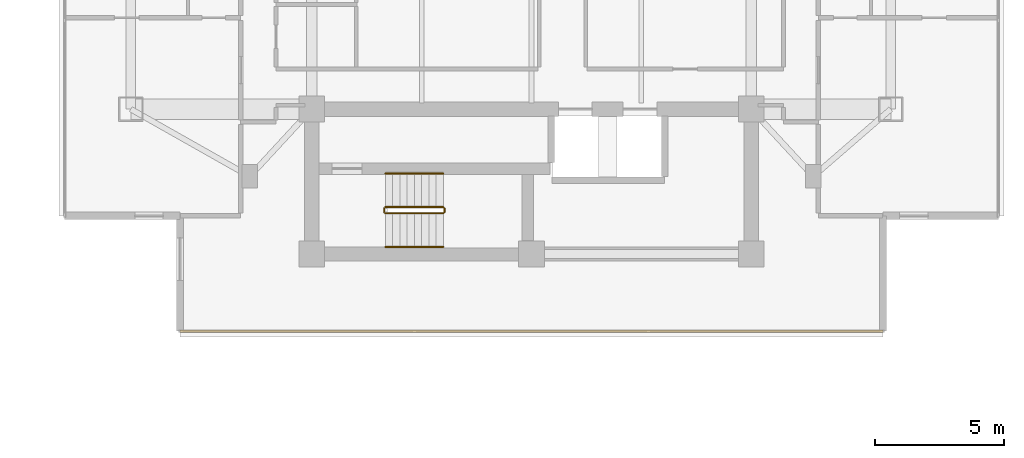
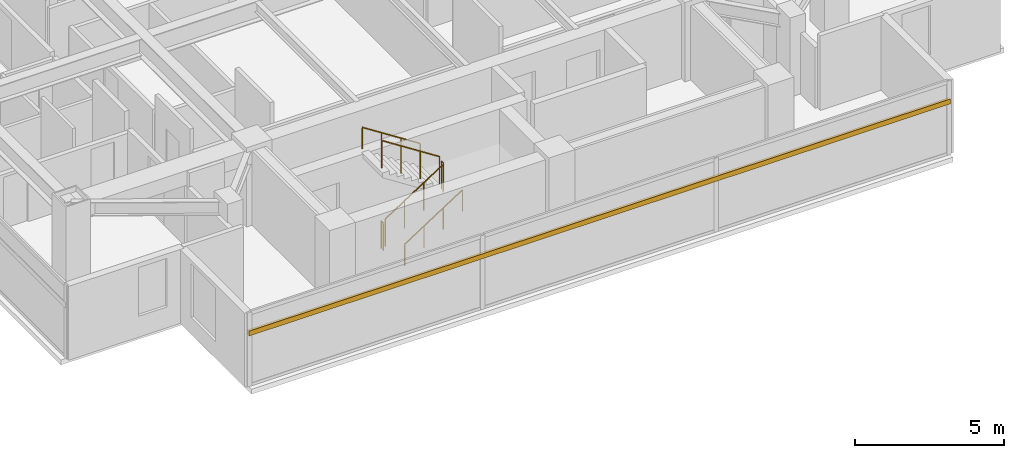
# One storey, part 23 of 25: 6 railings, 1 shading device.
"""IFC4 building model written with IfcOpenShell, lengths in metres."""

from ifc_helpers import new_model, si_unit, direction, frame, origin, origin_2d, place, context, subcontext, project, spatial, rectangle, circle, extrude, material, material_profile, profile_set, type_object, element, save


model = new_model("IFC4")

# Units and contexts
model_context = context("Model", 3, precision=1e-05, world=origin(), true_north=direction((0.0, 1.0)))
body_context = subcontext(model_context, "Body", "Model", "MODEL_VIEW")
ifc_project = project(units=[si_unit("LENGTHUNIT", "METRE"), si_unit("AREAUNIT", "SQUARE_METRE"), si_unit("VOLUMEUNIT", "CUBIC_METRE"), si_unit("PLANEANGLEUNIT", "RADIAN"), si_unit("MASSUNIT", "GRAM", prefix="KILO")], contexts=[model_context])

# Site, building, storey
site_placement = place(None, origin())
site = spatial("IfcSite", under=ifc_project, at=site_placement, CompositionType="ELEMENT")
building_placement = place(site_placement, origin())
building = spatial("IfcBuilding", under=site, at=building_placement, Name="Mirazonda Arch Towers", CompositionType="ELEMENT")
storey_placement = place(building_placement, frame((0.0, 0.0, 173.89990234375)))
storey = spatial("IfcBuildingStorey", under=building, at=storey_placement, Name="L49", CompositionType="ELEMENT", Elevation=173.89990234375)

# Shading device
ifc_material_1 = material(Name="Kiln-Fired Architectural Terracotta", Category="masonry")
ifc_material_profile = material_profile(ifc_material_1, rectangle(XDim=0.10009765625, YDim=0.199951171875, at=origin_2d()), Name="TERRA-BAG-100x200")
ifc_profile_set = profile_set([ifc_material_profile], Name="Kiln-Fired Architectural Terracotta")
shading_device_type = type_object("IfcShadingDeviceType", Name="BAGUETTE-2", PredefinedType="USERDEFINED", material=ifc_profile_set)
shading_device_placement = place(storey_placement, frame((90.09521484375, 12.208740234375, 2.181640625), z_axis=(-1.0, 0.0, 0.0), x_axis=(0.0, -1.0, 0.0)))
element("IfcShadingDevice", 1, at=shading_device_placement, inside=storey, type_object=shading_device_type, Name="L49 Glazed Terracotta Sun-Screen Baguette CW-L49-T2-S", ObjectType="BAGUETTE", PredefinedType="USERDEFINED", context=body_context, shape_type="SweptSolid", body=[
    extrude(rectangle(XDim=0.10009765625, YDim=0.199951171875, at=origin_2d()), origin(), (0.0, 0.0, 1.0), 27.1904296875),
])

# Railings
ifc_material_2 = material(Name="Architectural Brushed Steel S355", Category="steel")
railing_type_1 = type_object("IfcRailingType", Name="GUARD-STAIR-1120", PredefinedType="GUARDRAIL", material=ifc_material_2)
railing_1_placement = place(storey_placement, frame((70.85009765625, 16.77001953125, 0.1806640625)))
element("IfcRailing", 2, at=railing_1_placement, inside=storey, type_object=railing_type_1, Name="L49 ST-T2S stair guard 1", PredefinedType="GUARDRAIL", context=body_context, shape_type="SweptSolid", body=[
    extrude(circle(Radius=0.02392578125, at=origin_2d()), frame((0.0, 0.0, 1.1259765625), z_axis=(0.840436612492, 0.0, 0.541909863706), x_axis=(0.0, 1.0, 0.0)), (0.0, 0.0, 1.0), 2.665283203125),
    extrude(circle(Radius=0.02099609375, at=origin_2d()), origin(), (0.0, 0.0, 1.0), 1.101806640625),
    extrude(circle(Radius=0.02099609375, at=origin_2d()), frame((0.74658203125, 0.0, 0.4814453125)), (0.0, 0.0, 1.0), 1.101806640625),
    extrude(circle(Radius=0.02099609375, at=origin_2d()), frame((1.493408203125, 0.0, 0.962890625)), (0.0, 0.0, 1.0), 1.101806640625),
    extrude(circle(Radius=0.02099609375, at=origin_2d()), frame((2.239990234375, 0.0, 1.4443359375)), (0.0, 0.0, 1.0), 1.101806640625),
])
railing_2_placement = place(storey_placement, frame((73.139892578125, 16.820068359375, 1.625)))
element("IfcRailing", 3, at=railing_2_placement, inside=storey, type_object=railing_type_1, Name="L49 ST-T2S stair guard 2", PredefinedType="GUARDRAIL", context=body_context, shape_type="SweptSolid", body=[
    extrude(circle(Radius=0.02392578125, at=origin_2d()), frame((0.0, 0.0, 1.1259765625), z_axis=(0.0, 1.0, 0.0), x_axis=(-1.0, 0.0, 0.0)), (0.0, 0.0, 1.0), 0.139892578125),
    extrude(circle(Radius=0.02099609375, at=origin_2d()), origin(), (0.0, 0.0, 1.0), 1.101806640625),
    extrude(circle(Radius=0.02099609375, at=origin_2d()), frame((0.0, 0.139892578125, 0.0)), (0.0, 0.0, 1.0), 1.101806640625),
])
railing_3_placement = place(storey_placement, frame((73.090087890625, 17.010009765625, 1.8056640625)))
element("IfcRailing", 4, at=railing_3_placement, inside=storey, type_object=railing_type_1, Name="L49 ST-T2S stair guard 3", PredefinedType="GUARDRAIL", context=body_context, shape_type="SweptSolid", body=[
    extrude(circle(Radius=0.02392578125, at=origin_2d()), frame((0.0, 0.0, 1.1259765625), z_axis=(-0.840436612492, 0.0, 0.541909863706), x_axis=(0.0, -1.0, 0.0)), (0.0, 0.0, 1.0), 2.665283203125),
    extrude(circle(Radius=0.02099609375, at=origin_2d()), origin(), (0.0, 0.0, 1.0), 1.101806640625),
    extrude(circle(Radius=0.02099609375, at=origin_2d()), frame((-0.74658203125, 0.0, 0.4814453125)), (0.0, 0.0, 1.0), 1.101806640625),
    extrude(circle(Radius=0.02099609375, at=origin_2d()), frame((-1.493408203125, 0.0, 0.962890625)), (0.0, 0.0, 1.0), 1.101806640625),
    extrude(circle(Radius=0.02099609375, at=origin_2d()), frame((-2.239990234375, 0.0, 1.4443359375)), (0.0, 0.0, 1.0), 1.101806640625),
])
railing_4_placement = place(storey_placement, frame((70.800048828125, 16.820068359375, 0.0)))
element("IfcRailing", 5, at=railing_4_placement, inside=storey, type_object=railing_type_1, Name="L49 ST-T2S stair guard 4", PredefinedType="GUARDRAIL", context=body_context, shape_type="SweptSolid", body=[
    extrude(circle(Radius=0.02392578125, at=origin_2d()), frame((0.0, 0.0, 1.1259765625), z_axis=(0.0, 1.0, 0.0), x_axis=(-1.0, 0.0, 0.0)), (0.0, 0.0, 1.0), 0.139892578125),
    extrude(circle(Radius=0.02099609375, at=origin_2d()), origin(), (0.0, 0.0, 1.0), 1.101806640625),
    extrude(circle(Radius=0.02099609375, at=origin_2d()), frame((0.0, 0.139892578125, 0.0)), (0.0, 0.0, 1.0), 1.101806640625),
])
railing_type_2 = type_object("IfcRailingType", Name="HANDRAIL-915", PredefinedType="HANDRAIL", material=ifc_material_2)
railing_5_placement = place(storey_placement, frame((70.85009765625, 15.469970703125, 0.1806640625)))
element("IfcRailing", 6, at=railing_5_placement, inside=storey, type_object=railing_type_2, Name="L49 ST-T2S stair handrail 1", PredefinedType="HANDRAIL", context=body_context, shape_type="SweptSolid", body=[
    extrude(circle(Radius=0.02392578125, at=origin_2d()), frame((0.0, 0.0, 0.8759765625), z_axis=(0.840436612492, 0.0, 0.541909863706), x_axis=(0.0, 1.0, 0.0)), (0.0, 0.0, 1.0), 2.665283203125),
    extrude(circle(Radius=0.02099609375, at=origin_2d()), origin(), (0.0, 0.0, 1.0), 0.851806640625),
    extrude(circle(Radius=0.02099609375, at=origin_2d()), frame((0.74658203125, 0.0, 0.4814453125)), (0.0, 0.0, 1.0), 0.851806640625),
    extrude(circle(Radius=0.02099609375, at=origin_2d()), frame((1.493408203125, 0.0, 0.962890625)), (0.0, 0.0, 1.0), 0.851806640625),
    extrude(circle(Radius=0.02099609375, at=origin_2d()), frame((2.239990234375, 0.0, 1.4443359375)), (0.0, 0.0, 1.0), 0.851806640625),
])
railing_6_placement = place(storey_placement, frame((73.090087890625, 18.31005859375, 1.8056640625)))
element("IfcRailing", 7, at=railing_6_placement, inside=storey, type_object=railing_type_2, Name="L49 ST-T2S stair handrail 2", PredefinedType="HANDRAIL", context=body_context, shape_type="SweptSolid", body=[
    extrude(circle(Radius=0.02392578125, at=origin_2d()), frame((0.0, 0.0, 0.8759765625), z_axis=(-0.840436612492, 0.0, 0.541909863706), x_axis=(0.0, -1.0, 0.0)), (0.0, 0.0, 1.0), 2.665283203125),
    extrude(circle(Radius=0.02099609375, at=origin_2d()), origin(), (0.0, 0.0, 1.0), 0.851806640625),
    extrude(circle(Radius=0.02099609375, at=origin_2d()), frame((-0.74658203125, 0.0, 0.4814453125)), (0.0, 0.0, 1.0), 0.851806640625),
    extrude(circle(Radius=0.02099609375, at=origin_2d()), frame((-1.493408203125, 0.0, 0.962890625)), (0.0, 0.0, 1.0), 0.851806640625),
    extrude(circle(Radius=0.02099609375, at=origin_2d()), frame((-2.239990234375, 0.0, 1.4443359375)), (0.0, 0.0, 1.0), 0.851806640625),
])

save(model, "model.ifc")
